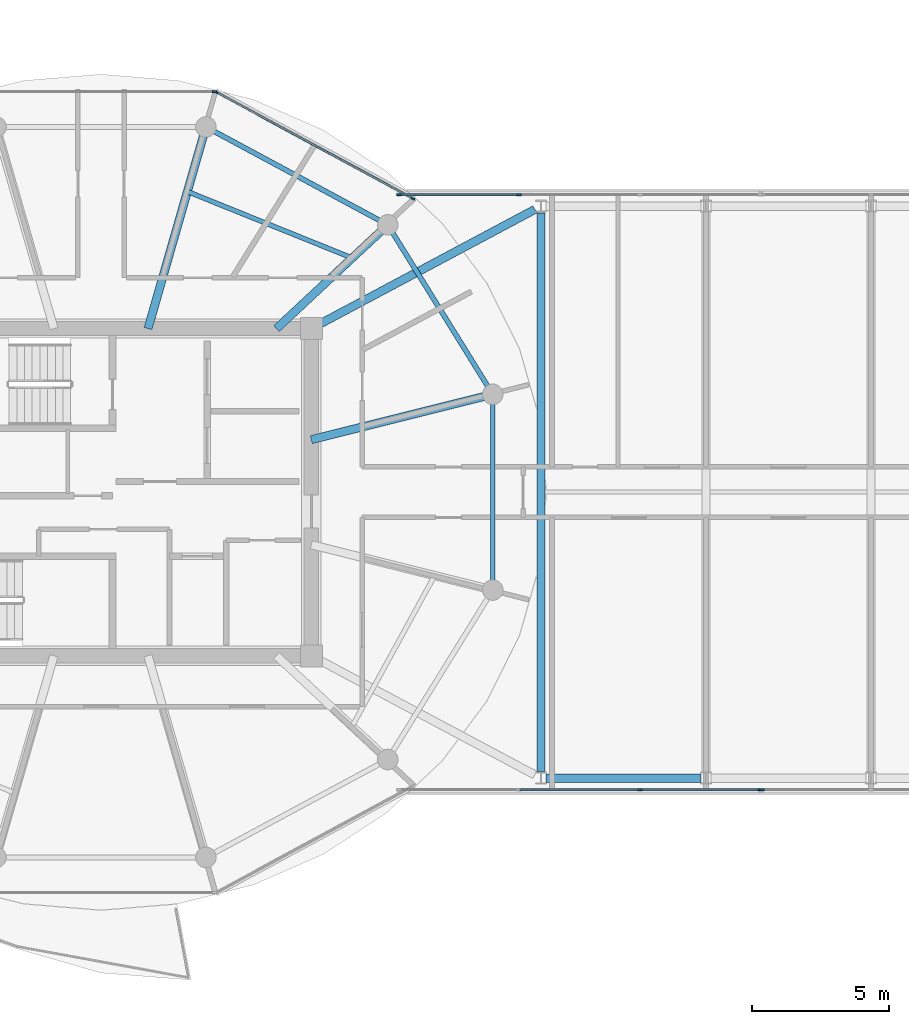
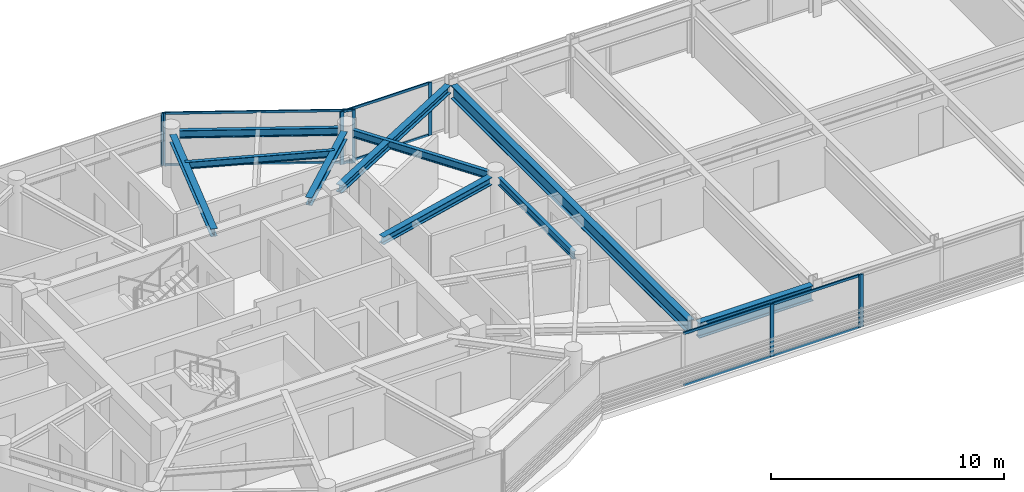
# One storey, part 5 of 23: 16 members, 10 beams, 5 elements without a shape of their own.
"""IFC4 building model written with IfcOpenShell, lengths in metres."""

from ifc_helpers import new_model, si_unit, direction, frame, origin, origin_2d, place, context, subcontext, project, spatial, rectangle, i_section, extrude, source, transform, mapped, material, layer, layer_set, material_profile, profile_set, type_object, type_shapes, element, aggregate, save


model = new_model("IFC4")

# Units and contexts
model_context = context("Model", 3, precision=1e-05, world=origin(), true_north=direction((0.0, 1.0)))
body_context = subcontext(model_context, "Body", "Model", "MODEL_VIEW")
ifc_project = project(units=[si_unit("LENGTHUNIT", "METRE"), si_unit("AREAUNIT", "SQUARE_METRE"), si_unit("VOLUMEUNIT", "CUBIC_METRE"), si_unit("PLANEANGLEUNIT", "RADIAN"), si_unit("MASSUNIT", "GRAM", prefix="KILO")], contexts=[model_context])

# Site, building, storey
site_placement = place(None, origin())
site = spatial("IfcSite", under=ifc_project, at=site_placement, CompositionType="ELEMENT")
building_placement = place(site_placement, origin())
building = spatial("IfcBuilding", under=site, at=building_placement, Name="Norrkilde Senior Care Towers", CompositionType="ELEMENT")
storey_placement = place(building_placement, frame((0.0, 0.0, 216.949951171875)))
storey = spatial("IfcBuildingStorey", under=building, at=storey_placement, Name="L67", CompositionType="ELEMENT", Elevation=216.949951171875)

# Beams
ifc_material_1 = material(Name="Steel S355", Category="steel")
ifc_material_profile_1 = material_profile(ifc_material_1, i_section(OverallWidth=0.179931640625, OverallDepth=0.39990234375, WebThickness=0.008544921875, FlangeThickness=0.013427734375, FilletRadius=0.02099609375, at=origin_2d()), Name="IPE 400")
ifc_profile_set_1 = profile_set([ifc_material_profile_1], Name="Steel S355")
beam_type_1 = type_object("IfcBeamType", Name="Perimeter Ring Spandrel Z4 IPE400", PredefinedType="SPANDREL", material=ifc_profile_set_1)
shared_shape_1 = source(origin(), body_context, "Body", "SweptSolid", [
    extrude(i_section(OverallWidth=0.179931640625, OverallDepth=0.39990234375, WebThickness=0.008544921875, FlangeThickness=0.013427734375, FilletRadius=0.02099609375, at=origin_2d()), origin(), (0.0, 0.0, 1.0), 6.58056640625),
])
beam_1_placement = place(storey_placement, frame((-13.928955078125, 3.843505859375, 2.56005859375), z_axis=(-0.526529583789, 0.850156807533, 0.0), x_axis=(-0.850156807533, -0.526529583789, 0.0)))
element("IfcBeam", 1, at=beam_1_placement, inside=storey, type_object=beam_type_1, Name="L67 Drum W Perimeter Spandrel 01", PredefinedType="SPANDREL", context=body_context, shape_type="MappedRepresentation", body=[
    mapped(shared_shape_1, transform((0.0, 0.0, 0.0), x_axis=(1.0, 0.0, 0.0), y_axis=(0.0, 1.0, 0.0), z_axis=(0.0, 0.0, 1.0), scale=1.0)),
])
ifc_material_profile_2 = material_profile(ifc_material_1, i_section(OverallWidth=0.300048828125, OverallDepth=0.39990234375, WebThickness=0.013427734375, FlangeThickness=0.02392578125, FilletRadius=0.027099609375, at=origin_2d()), Name="HEB 400")
ifc_profile_set_2 = profile_set([ifc_material_profile_2], Name="Steel S355")
beam_type_2 = type_object("IfcBeamType", Name="Radial Floor Beam Z4 HEB400", PredefinedType="BEAM", material=ifc_profile_set_2)
shared_shape_2 = source(origin(), body_context, "Body", "SweptSolid", [
    extrude(i_section(OverallWidth=0.300048828125, OverallDepth=0.39990234375, WebThickness=0.013427734375, FlangeThickness=0.02392578125, FilletRadius=0.027099609375, at=origin_2d()), origin(), (0.0, 0.0, 1.0), 6.465087890625),
])
beam_2_placement = place(storey_placement, frame((-20.35009765625, 1.910888671875, 2.56005859375), z_axis=(0.970195788563, 0.242322371758, 0.0), x_axis=(-0.242322371758, 0.970195788563, 0.0)))
element("IfcBeam", 2, at=beam_2_placement, inside=storey, type_object=beam_type_2, Name="L67 Drum W Radial Floor Beam 01", PredefinedType="BEAM", context=body_context, shape_type="MappedRepresentation", body=[
    mapped(shared_shape_2, transform((0.0, 0.0, 0.0), x_axis=(1.0, 0.0, 0.0), y_axis=(0.0, 1.0, 0.0), z_axis=(0.0, 0.0, 1.0), scale=1.0)),
])
shared_shape_3 = source(origin(), body_context, "Body", "SweptSolid", [
    extrude(i_section(OverallWidth=0.179931640625, OverallDepth=0.39990234375, WebThickness=0.008544921875, FlangeThickness=0.013427734375, FilletRadius=0.02099609375, at=origin_2d()), origin(), (0.0, 0.0, 1.0), 6.839111328125),
])
beam_3_placement = place(storey_placement, frame((-17.865234375, 9.881591796875, 2.56005859375), z_axis=(-0.880563930732, 0.473927382511, 0.0), x_axis=(-0.473927382511, -0.880563930732, 0.0)))
element("IfcBeam", 3, at=beam_3_placement, inside=storey, type_object=beam_type_1, Name="L67 Drum W Perimeter Spandrel 02", PredefinedType="SPANDREL", context=body_context, shape_type="MappedRepresentation", body=[
    mapped(shared_shape_3, transform((0.0, 0.0, 0.0), x_axis=(1.0, 0.0, 0.0), y_axis=(0.0, 1.0, 0.0), z_axis=(0.0, 0.0, 1.0), scale=1.0)),
])
shared_shape_4 = source(origin(), body_context, "Body", "SweptSolid", [
    extrude(i_section(OverallWidth=0.300048828125, OverallDepth=0.39990234375, WebThickness=0.013427734375, FlangeThickness=0.02392578125, FilletRadius=0.027099609375, at=origin_2d()), origin(), (0.0, 0.0, 1.0), 5.197998046875),
])
beam_4_placement = place(storey_placement, frame((-21.6171875, 5.949951171875, 2.56005859375), z_axis=(0.731448749334, 0.681896419625, 0.0), x_axis=(-0.681896419625, 0.731448749334, 0.0)))
element("IfcBeam", 4, at=beam_4_placement, inside=storey, type_object=beam_type_2, Name="L67 Drum W Radial Floor Beam 02", PredefinedType="BEAM", context=body_context, shape_type="MappedRepresentation", body=[
    mapped(shared_shape_4, transform((0.0, 0.0, 0.0), x_axis=(1.0, 0.0, 0.0), y_axis=(0.0, 1.0, 0.0), z_axis=(0.0, 0.0, 1.0), scale=1.0)),
])
shared_shape_5 = source(origin(), body_context, "Body", "SweptSolid", [
    extrude(i_section(OverallWidth=0.300048828125, OverallDepth=0.39990234375, WebThickness=0.013427734375, FlangeThickness=0.02392578125, FilletRadius=0.027099609375, at=origin_2d()), origin(), (0.0, 0.0, 1.0), 7.29345703125),
])
beam_5_placement = place(storey_placement, frame((-26.289794921875, 5.949951171875, 2.56005859375), z_axis=(0.276263751906, 0.961081858836, 0.0), x_axis=(-0.961081858836, 0.276263751906, 0.0)))
element("IfcBeam", 5, at=beam_5_placement, inside=storey, type_object=beam_type_2, Name="L67 Drum W Radial Floor Beam 03", PredefinedType="BEAM", context=body_context, shape_type="MappedRepresentation", body=[
    mapped(shared_shape_5, transform((0.0, 0.0, 0.0), x_axis=(1.0, 0.0, 0.0), y_axis=(0.0, 1.0, 0.0), z_axis=(0.0, 0.0, 1.0), scale=1.0)),
])
shared_shape_6 = source(origin(), body_context, "Body", "SweptSolid", [
    extrude(i_section(OverallWidth=0.179931640625, OverallDepth=0.39990234375, WebThickness=0.008544921875, FlangeThickness=0.013427734375, FilletRadius=0.02099609375, at=origin_2d()), origin(), (0.0, 0.0, 1.0), 6.44775390625),
])
type_shapes(beam_type_1, [shared_shape_1, shared_shape_3, shared_shape_6])
beam_6_placement = place(storey_placement, frame((-13.752685546875, -3.223876953125, 2.56005859375), z_axis=(0.0, 1.0, 0.0), x_axis=(-1.0, 0.0, 0.0)))
element("IfcBeam", 6, at=beam_6_placement, inside=storey, type_object=beam_type_1, Name="L67 Drum W Perimeter Spandrel 12", PredefinedType="SPANDREL", context=body_context, shape_type="MappedRepresentation", body=[
    mapped(shared_shape_6, transform((0.0, 0.0, 0.0), x_axis=(1.0, 0.0, 0.0), y_axis=(0.0, 1.0, 0.0), z_axis=(0.0, 0.0, 1.0), scale=1.0)),
])
ifc_material_profile_3 = material_profile(ifc_material_1, i_section(OverallWidth=0.169921875, OverallDepth=0.360107421875, WebThickness=0.008056640625, FlangeThickness=0.0126953125, FilletRadius=0.01806640625, at=origin_2d()), Name="IPE 360")
ifc_profile_set_3 = profile_set([ifc_material_profile_3], Name="Steel S355")
beam_type_3 = type_object("IfcBeamType", Name="Secondary Floor Joist IPE360", PredefinedType="JOIST", material=ifc_profile_set_3)
shared_shape_7 = source(origin(), body_context, "Body", "SweptSolid", [
    extrude(i_section(OverallWidth=0.169921875, OverallDepth=0.360107421875, WebThickness=0.008056640625, FlangeThickness=0.0126953125, FilletRadius=0.01806640625, at=origin_2d()), origin(), (0.0, 0.0, 1.0), 6.461669921875),
])
type_shapes(beam_type_3, [shared_shape_7])
beam_7_placement = place(storey_placement, frame((-18.865234375, 8.515380859375, 2.580078125), z_axis=(-0.927225942298, 0.374502405772, 0.0), x_axis=(-0.374502405772, -0.927225942298, 0.0)))
element("IfcBeam", 7, at=beam_7_placement, inside=storey, type_object=beam_type_3, Name="L67 Drum W Secondary Floor Joist 1", PredefinedType="JOIST", context=body_context, shape_type="MappedRepresentation", body=[
    mapped(shared_shape_7, transform((0.0, 0.0, 0.0), x_axis=(1.0, 0.0, 0.0), y_axis=(0.0, 1.0, 0.0), z_axis=(0.0, 0.0, 1.0), scale=1.0)),
])
ifc_material_profile_4 = material_profile(ifc_material_1, i_section(OverallWidth=0.300048828125, OverallDepth=0.699951171875, WebThickness=0.01708984375, FlangeThickness=0.031982421875, FilletRadius=0.027099609375, at=origin_2d()), Name="HEB 700")
ifc_profile_set_4 = profile_set([ifc_material_profile_4], Name="Steel S355")
beam_type_4 = type_object("IfcBeamType", Name="Bridge Cross Girder HEB700", PredefinedType="USERDEFINED", material=ifc_profile_set_4)
shared_shape_8 = source(origin(), body_context, "Body", "SweptSolid", [
    extrude(i_section(OverallWidth=0.300048828125, OverallDepth=0.699951171875, WebThickness=0.01708984375, FlangeThickness=0.031982421875, FilletRadius=0.027099609375, at=origin_2d()), origin(), (0.0, 0.0, 1.0), 20.31982421875),
])
type_shapes(beam_type_4, [shared_shape_8])
beam_8_placement = place(storey_placement, frame((-12.0, -10.159912109375, 2.41015625), z_axis=(0.0, 1.0, 0.0), x_axis=(-1.0, 0.0, 0.0)))
element("IfcBeam", 8, at=beam_8_placement, inside=storey, type_object=beam_type_4, Name="L67 Sky-Gate Bridge Cross Girder -12", ObjectType="GIRDER", PredefinedType="USERDEFINED", context=body_context, shape_type="MappedRepresentation", body=[
    mapped(shared_shape_8, transform((0.0, 0.0, 0.0), x_axis=(1.0, 0.0, 0.0), y_axis=(0.0, 1.0, 0.0), z_axis=(0.0, 0.0, 1.0), scale=1.0)),
])
shared_shape_9 = source(origin(), body_context, "Body", "SweptSolid", [
    extrude(i_section(OverallWidth=0.300048828125, OverallDepth=0.39990234375, WebThickness=0.013427734375, FlangeThickness=0.02392578125, FilletRadius=0.027099609375, at=origin_2d()), origin(), (0.0, 0.0, 1.0), 8.831787109375),
])
type_shapes(beam_type_2, [shared_shape_2, shared_shape_4, shared_shape_5, shared_shape_9])
beam_9_placement = place(storey_placement, frame((-20.0146484375, 6.128662109375, 2.56005859375), z_axis=(0.882492172381, 0.470327083727, 0.0), x_axis=(-0.470327083727, 0.882492172381, 0.0)))
element("IfcBeam", 9, at=beam_9_placement, inside=storey, type_object=beam_type_2, Name="L67 Sky-Gate Bridge Girder N1", PredefinedType="BEAM", context=body_context, shape_type="MappedRepresentation", body=[
    mapped(shared_shape_9, transform((0.0, 0.0, 0.0), x_axis=(1.0, 0.0, 0.0), y_axis=(0.0, 1.0, 0.0), z_axis=(0.0, 0.0, 1.0), scale=1.0)),
])
ifc_material_profile_5 = material_profile(ifc_material_1, i_section(OverallWidth=0.300048828125, OverallDepth=0.800048828125, WebThickness=0.017578125, FlangeThickness=0.032958984375, FilletRadius=0.030029296875, at=origin_2d()), Name="HEB 800")
ifc_profile_set_5 = profile_set([ifc_material_profile_5], Name="Steel S355")
beam_type_5 = type_object("IfcBeamType", Name="Bridge Floor Girder HEB800", PredefinedType="USERDEFINED", material=ifc_profile_set_5)
shared_shape_10 = source(origin(), body_context, "Body", "SweptSolid", [
    extrude(i_section(OverallWidth=0.300048828125, OverallDepth=0.800048828125, WebThickness=0.017578125, FlangeThickness=0.032958984375, FilletRadius=0.030029296875, at=origin_2d()), origin(), (0.0, 0.0, 1.0), 5.64013671875),
])
type_shapes(beam_type_5, [shared_shape_10])
beam_10_placement = place(storey_placement, frame((-11.820068359375, -10.39990234375, 2.360107421875), z_axis=(1.0, 0.0, 0.0), x_axis=(0.0, 1.0, 0.0)))
element("IfcBeam", 10, at=beam_10_placement, inside=storey, type_object=beam_type_5, Name="L67 Sky-Gate Bridge Girder S2", ObjectType="GIRDER", PredefinedType="USERDEFINED", context=body_context, shape_type="MappedRepresentation", body=[
    mapped(shared_shape_10, transform((0.0, 0.0, 0.0), x_axis=(1.0, 0.0, 0.0), y_axis=(0.0, 1.0, 0.0), z_axis=(0.0, 0.0, 1.0), scale=1.0)),
])

# Curtain wall, members
ifc_material_2 = material(Name="Triple Low-E Insulated Glazing", Category="glass")
ifc_layer_1 = layer(ifc_material_2, 0.18505859375)
ifc_layer_set_1 = layer_set([ifc_layer_1], Name="Triple Low-E Insulated Glazing")
curtain_wall_type_1 = type_object("IfcCurtainWallType", Name="CW6 Zone 4 Crown Pavilion Curtain Wall", PredefinedType="NOTDEFINED", material=ifc_layer_set_1)
curtain_wall_1_placement = place(storey_placement, origin())
curtain_wall_1 = element("IfcCurtainWall", 11, at=curtain_wall_1_placement, inside=storey, type_object=curtain_wall_type_1, Name="L67 Drum W Curtain Wall 01", PredefinedType="NOTDEFINED")
ifc_material_3 = material(Name="Anodised Aluminium", Category="aluminium")
ifc_material_profile_6 = material_profile(ifc_material_3, rectangle(XDim=0.06005859375, YDim=0.1201171875, at=origin_2d()), Name="ALU TRAN 60x120")
ifc_profile_set_6 = profile_set([ifc_material_profile_6], Name="Anodised Aluminium")
member_type_1 = type_object("IfcMemberType", Name="Curtain Wall Transom Typical 60x120", PredefinedType="USERDEFINED", material=ifc_profile_set_6)
shared_shape_11 = source(origin(), body_context, "Body", "SweptSolid", [
    extrude(rectangle(XDim=0.06005859375, YDim=0.1201171875, at=origin_2d()), origin(), (0.0, 0.0, 1.0), 8.0673828125),
])
type_shapes(member_type_1, [shared_shape_11])
member_1_placement = place(storey_placement, frame((-23.781005859375, 14.53515625, 0.030029296875), z_axis=(0.87937750072, -0.476125205411, 0.0), x_axis=(0.476125205411, 0.87937750072, 0.0)))
member_1 = element("IfcMember", 12, at=member_1_placement, type_object=member_type_1, Name="CW-6 transom 1.1", ObjectType="TRANSOM", PredefinedType="USERDEFINED", context=body_context, shape_type="MappedRepresentation", body=[
    mapped(shared_shape_11, transform((0.0, 0.0, 0.0), x_axis=(1.0, 0.0, 0.0), y_axis=(0.0, 1.0, 0.0), z_axis=(0.0, 0.0, 1.0), scale=1.0)),
])
member_2_placement = place(storey_placement, frame((-23.781005859375, 14.53515625, 2.72998046875), z_axis=(0.87937750072, -0.476125205411, 0.0), x_axis=(0.476125205411, 0.87937750072, 0.0)))
member_2 = element("IfcMember", 13, at=member_2_placement, type_object=member_type_1, Name="CW-6 transom 1.2", ObjectType="TRANSOM", PredefinedType="USERDEFINED", context=body_context, shape_type="MappedRepresentation", body=[
    mapped(shared_shape_11, transform((0.0, 0.0, 0.0), x_axis=(1.0, 0.0, 0.0), y_axis=(0.0, 1.0, 0.0), z_axis=(0.0, 0.0, 1.0), scale=1.0)),
])
ifc_material_profile_7 = material_profile(ifc_material_3, rectangle(XDim=0.06494140625, YDim=0.14990234375, at=origin_2d()), Name="ALU MULL 65x150")
ifc_profile_set_7 = profile_set([ifc_material_profile_7], Name="Anodised Aluminium")
member_type_2 = type_object("IfcMemberType", Name="Curtain Wall Mullion Z3-Z4 65x150", PredefinedType="MULLION", material=ifc_profile_set_7)
shared_shape_12 = source(origin(), body_context, "Body", "SweptSolid", [
    extrude(rectangle(XDim=0.06494140625, YDim=0.14990234375, at=origin_2d()), origin(), (0.0, 0.0, 1.0), 2.760009765625),
])
type_shapes(member_type_2, [shared_shape_12])
member_3_placement = place(storey_placement, frame((-23.8095703125, 14.55078125, 0.0), z_axis=(0.0, 0.0, 1.0), x_axis=(0.476132676136, 0.879373455772, 0.0)))
member_3 = element("IfcMember", 14, at=member_3_placement, type_object=member_type_2, Name="CW-6 mullion 1", PredefinedType="MULLION", context=body_context, shape_type="MappedRepresentation", body=[
    mapped(shared_shape_12, transform((0.0, 0.0, 0.0), x_axis=(1.0, 0.0, 0.0), y_axis=(0.0, 1.0, 0.0), z_axis=(0.0, 0.0, 1.0), scale=1.0)),
])
member_4_placement = place(storey_placement, frame((-16.658203125, 10.6787109375, 0.0), z_axis=(0.0, 0.0, 1.0), x_axis=(0.476132676136, 0.879373455772, 0.0)))
member_4 = element("IfcMember", 15, at=member_4_placement, type_object=member_type_2, Name="CW-6 mullion 2", PredefinedType="MULLION", context=body_context, shape_type="MappedRepresentation", body=[
    mapped(shared_shape_12, transform((0.0, 0.0, 0.0), x_axis=(1.0, 0.0, 0.0), y_axis=(0.0, 1.0, 0.0), z_axis=(0.0, 0.0, 1.0), scale=1.0)),
])
aggregate(curtain_wall_1, [member_3, member_4, member_1, member_2])

# Curtain wall, member
curtain_wall_2_placement = place(storey_placement, origin())
curtain_wall_2 = element("IfcCurtainWall", 16, at=curtain_wall_2_placement, inside=storey, type_object=curtain_wall_type_1, Name="L67 Drum W Curtain Wall 02", PredefinedType="NOTDEFINED")
member_5_placement = place(storey_placement, frame((-23.87060546875, 14.566162109375, 0.0), z_axis=(0.0, 0.0, 1.0), x_axis=(0.0, 1.0, 0.0)))
member_5 = element("IfcMember", 17, at=member_5_placement, type_object=member_type_2, Name="CW-6 mullion 2", PredefinedType="MULLION", context=body_context, shape_type="MappedRepresentation", body=[
    mapped(shared_shape_12, transform((0.0, 0.0, 0.0), x_axis=(1.0, 0.0, 0.0), y_axis=(0.0, 1.0, 0.0), z_axis=(0.0, 0.0, 1.0), scale=1.0)),
])
aggregate(curtain_wall_2, [member_5])

# Curtain wall, members
ifc_layer_2 = layer(ifc_material_2, 0.2099609375)
ifc_layer_set_2 = layer_set([ifc_layer_2], Name="Triple Low-E Insulated Glazing")
curtain_wall_type_2 = type_object("IfcCurtainWallType", Name="CW5 Sky-Gate Bridge Curtain Wall", PredefinedType="NOTDEFINED", material=ifc_layer_set_2)
curtain_wall_3_placement = place(storey_placement, origin())
curtain_wall_3 = element("IfcCurtainWall", 18, at=curtain_wall_3_placement, inside=storey, type_object=curtain_wall_type_2, Name="L67 Sky-Gate Bridge North Curtain Wall 1", PredefinedType="NOTDEFINED")
ifc_material_profile_8 = material_profile(ifc_material_3, rectangle(XDim=0.06494140625, YDim=0.1298828125, at=origin_2d()), Name="ALU TRAN 65x130")
ifc_profile_set_8 = profile_set([ifc_material_profile_8], Name="Anodised Aluminium")
member_type_3 = type_object("IfcMemberType", Name="Curtain Wall Transom Heavy 65x130", PredefinedType="USERDEFINED", material=ifc_profile_set_8)
shared_shape_13 = source(origin(), body_context, "Body", "SweptSolid", [
    extrude(rectangle(XDim=0.06494140625, YDim=0.1298828125, at=origin_2d()), origin(), (0.0, 0.0, 1.0), 4.294921875),
])
member_6_placement = place(storey_placement, frame((-17.1298828125, 10.820068359375, 0.032470703125), z_axis=(1.0, 0.0, 0.0), x_axis=(0.0, 1.0, 0.0)))
member_6 = element("IfcMember", 19, at=member_6_placement, type_object=member_type_3, Name="CW-5 transom 1.1", ObjectType="TRANSOM", PredefinedType="USERDEFINED", context=body_context, shape_type="MappedRepresentation", body=[
    mapped(shared_shape_13, transform((0.0, 0.0, 0.0), x_axis=(1.0, 0.0, 0.0), y_axis=(0.0, 1.0, 0.0), z_axis=(0.0, 0.0, 1.0), scale=1.0)),
])
member_7_placement = place(storey_placement, frame((-17.1298828125, 10.820068359375, 2.7275390625), z_axis=(1.0, 0.0, 0.0), x_axis=(0.0, 1.0, 0.0)))
member_7 = element("IfcMember", 20, at=member_7_placement, type_object=member_type_3, Name="CW-5 transom 1.2", ObjectType="TRANSOM", PredefinedType="USERDEFINED", context=body_context, shape_type="MappedRepresentation", body=[
    mapped(shared_shape_13, transform((0.0, 0.0, 0.0), x_axis=(1.0, 0.0, 0.0), y_axis=(0.0, 1.0, 0.0), z_axis=(0.0, 0.0, 1.0), scale=1.0)),
])

curtain_wall_4_placement = place(storey_placement, origin())
curtain_wall_4 = element("IfcCurtainWall", 21, at=curtain_wall_4_placement, inside=storey, type_object=curtain_wall_type_2, Name="L67 Sky-Gate Bridge South Curtain Wall 3", PredefinedType="NOTDEFINED")
member_8_placement = place(storey_placement, frame((-4.070068359375, -10.820068359375, 0.032470703125), z_axis=(-1.0, 0.0, 0.0), x_axis=(0.0, -1.0, 0.0)))
member_8 = element("IfcMember", 22, at=member_8_placement, type_object=member_type_3, Name="CW-5 transom 1.1", ObjectType="TRANSOM", PredefinedType="USERDEFINED", context=body_context, shape_type="MappedRepresentation", body=[
    mapped(shared_shape_13, transform((0.0, 0.0, 0.0), x_axis=(1.0, 0.0, 0.0), y_axis=(0.0, 1.0, 0.0), z_axis=(0.0, 0.0, 1.0), scale=1.0)),
])
member_9_placement = place(storey_placement, frame((-4.070068359375, -10.820068359375, 2.7275390625), z_axis=(-1.0, 0.0, 0.0), x_axis=(0.0, -1.0, 0.0)))
member_9 = element("IfcMember", 23, at=member_9_placement, type_object=member_type_3, Name="CW-5 transom 1.2", ObjectType="TRANSOM", PredefinedType="USERDEFINED", context=body_context, shape_type="MappedRepresentation", body=[
    mapped(shared_shape_13, transform((0.0, 0.0, 0.0), x_axis=(1.0, 0.0, 0.0), y_axis=(0.0, 1.0, 0.0), z_axis=(0.0, 0.0, 1.0), scale=1.0)),
])
shared_shape_14 = source(origin(), body_context, "Body", "SweptSolid", [
    extrude(rectangle(XDim=0.06494140625, YDim=0.1298828125, at=origin_2d()), origin(), (0.0, 0.0, 1.0), 4.329833984375),
])
type_shapes(member_type_3, [shared_shape_13, shared_shape_14])
member_10_placement = place(storey_placement, frame((-8.43505859375, -10.820068359375, 0.032470703125), z_axis=(-1.0, 0.0, 0.0), x_axis=(0.0, -1.0, 0.0)))
member_10 = element("IfcMember", 24, at=member_10_placement, type_object=member_type_3, Name="CW-5 transom 2.1", ObjectType="TRANSOM", PredefinedType="USERDEFINED", context=body_context, shape_type="MappedRepresentation", body=[
    mapped(shared_shape_14, transform((0.0, 0.0, 0.0), x_axis=(1.0, 0.0, 0.0), y_axis=(0.0, 1.0, 0.0), z_axis=(0.0, 0.0, 1.0), scale=1.0)),
])
member_11_placement = place(storey_placement, frame((-8.43505859375, -10.820068359375, 2.7275390625), z_axis=(-1.0, 0.0, 0.0), x_axis=(0.0, -1.0, 0.0)))
member_11 = element("IfcMember", 25, at=member_11_placement, type_object=member_type_3, Name="CW-5 transom 2.2", ObjectType="TRANSOM", PredefinedType="USERDEFINED", context=body_context, shape_type="MappedRepresentation", body=[
    mapped(shared_shape_14, transform((0.0, 0.0, 0.0), x_axis=(1.0, 0.0, 0.0), y_axis=(0.0, 1.0, 0.0), z_axis=(0.0, 0.0, 1.0), scale=1.0)),
])

# Member
ifc_material_profile_9 = material_profile(ifc_material_3, rectangle(XDim=0.070068359375, YDim=0.169921875, at=origin_2d()), Name="ALU MULL 70x170")
ifc_profile_set_9 = profile_set([ifc_material_profile_9], Name="Anodised Aluminium")
member_type_4 = type_object("IfcMemberType", Name="Curtain Wall Mullion Heavy 70x170", PredefinedType="MULLION", material=ifc_profile_set_9)
shared_shape_15 = source(origin(), body_context, "Body", "SweptSolid", [
    extrude(rectangle(XDim=0.070068359375, YDim=0.169921875, at=origin_2d()), origin(), (0.0, 0.0, 1.0), 2.760009765625),
])
type_shapes(member_type_4, [shared_shape_15])
member_12_placement = place(storey_placement, frame((-17.1650390625, 10.820068359375, 0.0), z_axis=(0.0, 0.0, 1.0), x_axis=(0.0, 1.0, 0.0)))
member_12 = element("IfcMember", 26, at=member_12_placement, type_object=member_type_4, Name="CW-5 mullion 1", PredefinedType="MULLION", context=body_context, shape_type="MappedRepresentation", body=[
    mapped(shared_shape_15, transform((0.0, 0.0, 0.0), x_axis=(1.0, 0.0, 0.0), y_axis=(0.0, 1.0, 0.0), z_axis=(0.0, 0.0, 1.0), scale=1.0)),
])

member_13_placement = place(storey_placement, frame((-12.800048828125, 10.820068359375, 0.0), z_axis=(0.0, 0.0, 1.0), x_axis=(0.0, 1.0, 0.0)))
member_13 = element("IfcMember", 27, at=member_13_placement, type_object=member_type_4, Name="CW-5 mullion 2", PredefinedType="MULLION", context=body_context, shape_type="MappedRepresentation", body=[
    mapped(shared_shape_15, transform((0.0, 0.0, 0.0), x_axis=(1.0, 0.0, 0.0), y_axis=(0.0, 1.0, 0.0), z_axis=(0.0, 0.0, 1.0), scale=1.0)),
])

aggregate(curtain_wall_3, [member_12, member_13, member_6, member_7])

# Curtain wall, member
curtain_wall_5_placement = place(storey_placement, origin())
curtain_wall_5 = element("IfcCurtainWall", 28, at=curtain_wall_5_placement, inside=storey, type_object=curtain_wall_type_2, Name="L67 Sky-Gate Bridge South Curtain Wall 2", PredefinedType="NOTDEFINED")
member_14_placement = place(storey_placement, frame((-3.965087890625, -10.820068359375, 0.0), z_axis=(0.0, 0.0, 1.0), x_axis=(0.0, -1.0, 0.0)))
member_14 = element("IfcMember", 29, at=member_14_placement, type_object=member_type_4, Name="CW-5 mullion 3", PredefinedType="MULLION", context=body_context, shape_type="MappedRepresentation", body=[
    mapped(shared_shape_15, transform((0.0, 0.0, 0.0), x_axis=(1.0, 0.0, 0.0), y_axis=(0.0, 1.0, 0.0), z_axis=(0.0, 0.0, 1.0), scale=1.0)),
])
aggregate(curtain_wall_5, [member_14])

# Member
member_15_placement = place(storey_placement, frame((-4.034912109375, -10.820068359375, 0.0), z_axis=(0.0, 0.0, 1.0), x_axis=(0.0, -1.0, 0.0)))
member_15 = element("IfcMember", 30, at=member_15_placement, type_object=member_type_4, Name="CW-5 mullion 1", PredefinedType="MULLION", context=body_context, shape_type="MappedRepresentation", body=[
    mapped(shared_shape_15, transform((0.0, 0.0, 0.0), x_axis=(1.0, 0.0, 0.0), y_axis=(0.0, 1.0, 0.0), z_axis=(0.0, 0.0, 1.0), scale=1.0)),
])

member_16_placement = place(storey_placement, frame((-8.39990234375, -10.820068359375, 0.0), z_axis=(0.0, 0.0, 1.0), x_axis=(0.0, -1.0, 0.0)))
member_16 = element("IfcMember", 31, at=member_16_placement, type_object=member_type_4, Name="CW-5 mullion 2", PredefinedType="MULLION", context=body_context, shape_type="MappedRepresentation", body=[
    mapped(shared_shape_15, transform((0.0, 0.0, 0.0), x_axis=(1.0, 0.0, 0.0), y_axis=(0.0, 1.0, 0.0), z_axis=(0.0, 0.0, 1.0), scale=1.0)),
])

aggregate(curtain_wall_4, [member_15, member_16, member_8, member_9, member_10, member_11])

save(model, "model.ifc")
